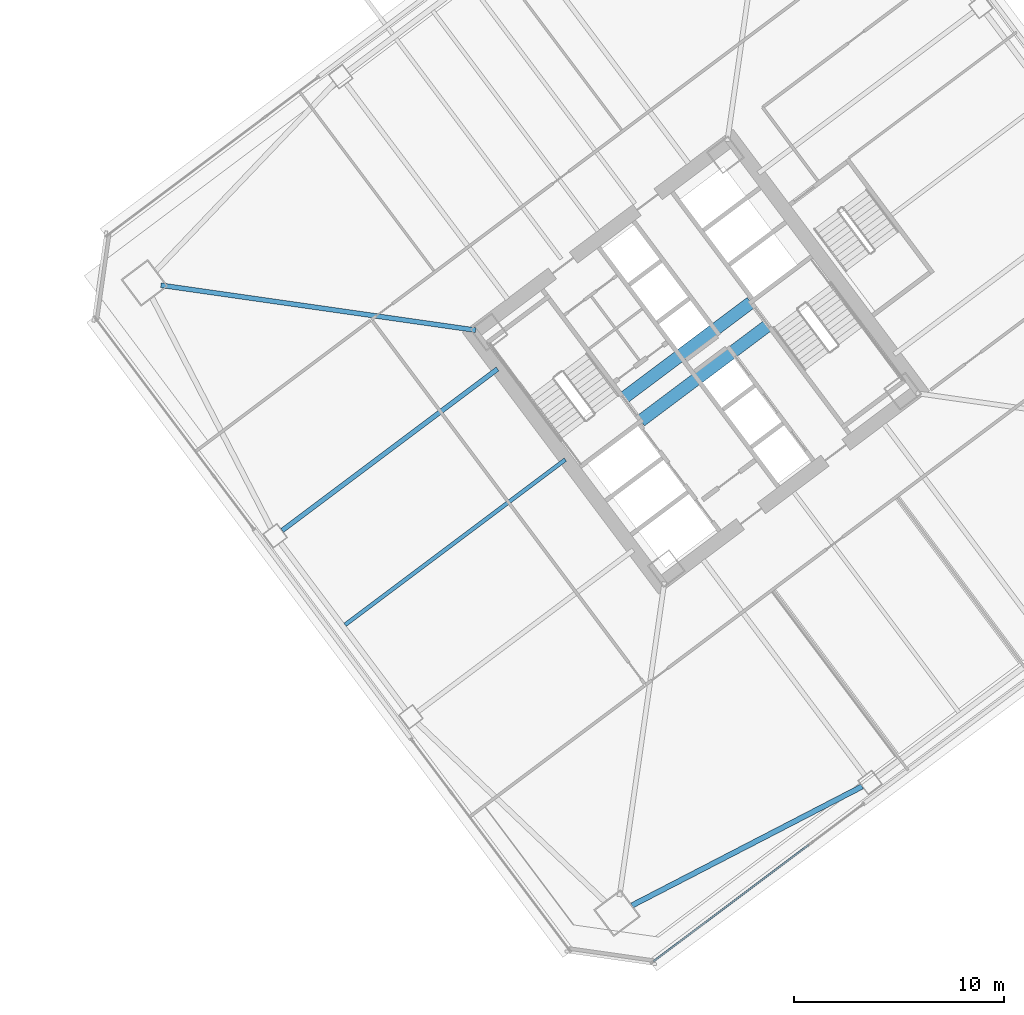
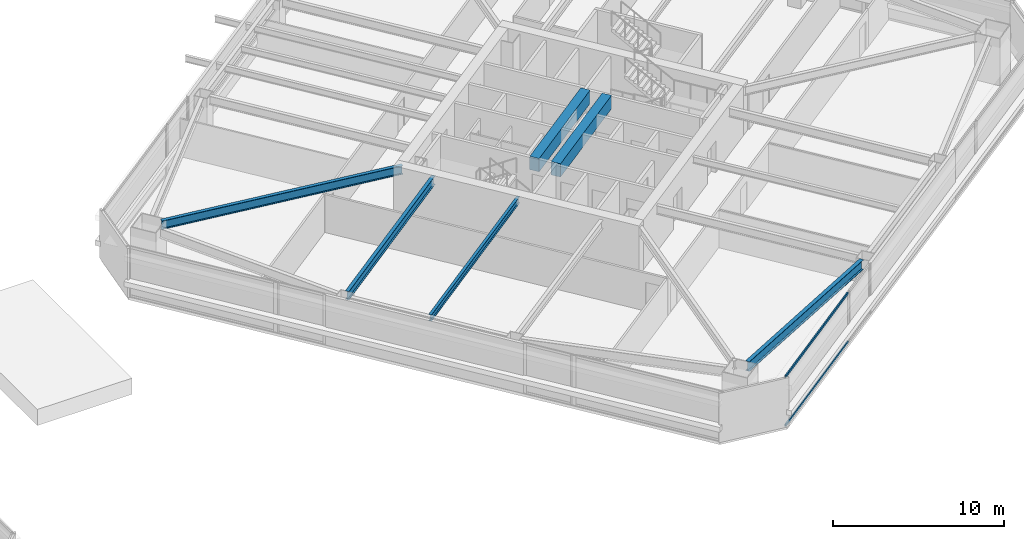
# One storey, part 21 of 46: 6 beams, 2 members, 1 element without a shape of its own.
"""IFC4 building model written with IfcOpenShell, lengths in metres."""

from ifc_helpers import new_model, si_unit, direction, frame, origin, origin_2d, place, context, subcontext, project, spatial, rectangle, hollow_rectangle, i_section, extrude, material, material_profile, profile_set, type_object, element, aggregate, save


model = new_model("IFC4")

# Units and contexts
model_context = context("Model", 3, precision=1e-05, world=origin(), true_north=direction((0.0, 1.0)))
body_context = subcontext(model_context, "Body", "Model", "MODEL_VIEW")
ifc_project = project(units=[si_unit("LENGTHUNIT", "METRE"), si_unit("AREAUNIT", "SQUARE_METRE"), si_unit("VOLUMEUNIT", "CUBIC_METRE"), si_unit("PLANEANGLEUNIT", "RADIAN"), si_unit("MASSUNIT", "GRAM", prefix="KILO")], contexts=[model_context])

# Site, building, storey
site_placement = place(None, origin())
site = spatial("IfcSite", under=ifc_project, at=site_placement, CompositionType="ELEMENT")
building_placement = place(site_placement, origin())
building = spatial("IfcBuilding", under=site, at=building_placement, Name="Tashvorn Skyway Center", CompositionType="ELEMENT")
storey_placement = place(building_placement, frame((0.0, 0.0, 31.699951171875)))
storey = spatial("IfcBuildingStorey", under=building, at=storey_placement, Name="L07", CompositionType="ELEMENT", Elevation=31.699951171875)

# Beams
ifc_material_1 = material(Name="Steel ASTM A992 Grade 50", Category="steel")
ifc_material_profile_1 = material_profile(ifc_material_1, i_section(OverallWidth=0.22998046875, OverallDepth=0.616943359375, WebThickness=0.01318359375, FlangeThickness=0.022216796875, at=origin_2d()), Name="W24X94")
ifc_profile_set_1 = profile_set([ifc_material_profile_1], Name="Steel ASTM A992 Grade 50")
beam_type_1 = type_object("IfcBeamType", Name="BM-BEAM-W24X94", PredefinedType="BEAM", material=ifc_profile_set_1)
beam_1_placement = place(storey_placement, frame((88.467041015625, 35.6474609375, 3.04150390625), z_axis=(0.989950458816, -0.141414599991, 0.0), x_axis=(0.141414599991, 0.989950458816, 0.0)))
element("IfcBeam", 1, at=beam_1_placement, inside=storey, type_object=beam_type_1, Name="Tower 2 L07 Primary Floor Girder MC-NW", PredefinedType="BEAM", context=body_context, shape_type="SweptSolid", body=[
    extrude(i_section(OverallWidth=0.22998046875, OverallDepth=0.616943359375, WebThickness=0.01318359375, FlangeThickness=0.022216796875, at=origin_2d()), origin(), (0.0, 0.0, 1.0), 15.177001953125),
])
beam_2_placement = place(storey_placement, frame((94.256103515625, 23.94189453125, 3.04150390625), z_axis=(0.799986320265, 0.600018239213, 0.0), x_axis=(-0.600018239213, 0.799986320265, 0.0)))
element("IfcBeam", 2, at=beam_2_placement, inside=storey, type_object=beam_type_1, Name="Tower 2 L07 Primary Floor Girder FC-W1", PredefinedType="BEAM", context=body_context, shape_type="SweptSolid", body=[
    extrude(i_section(OverallWidth=0.22998046875, OverallDepth=0.616943359375, WebThickness=0.01318359375, FlangeThickness=0.022216796875, at=origin_2d()), origin(), (0.0, 0.0, 1.0), 12.849853515625),
])
ifc_material_profile_2 = material_profile(ifc_material_1, i_section(OverallWidth=0.19091796875, OverallDepth=0.4599609375, WebThickness=0.010009765625, FlangeThickness=0.01611328125, at=origin_2d()), Name="W18X55")
ifc_profile_set_2 = profile_set([ifc_material_profile_2], Name="Steel ASTM A992 Grade 50")
beam_type_2 = type_object("IfcBeamType", Name="BM-JOIST-W18X55", PredefinedType="JOIST", material=ifc_profile_set_2)
beam_3_placement = place(storey_placement, frame((107.76806640625, 27.325927734375, 3.1201171875), z_axis=(-0.799997770398, -0.600002972791, 0.0), x_axis=(0.600002972791, -0.799997770398, 0.0)))
element("IfcBeam", 3, at=beam_3_placement, inside=storey, type_object=beam_type_2, Name="Tower 2 L07 Secondary Composite Joist JW", PredefinedType="JOIST", context=body_context, shape_type="SweptSolid", body=[
    extrude(i_section(OverallWidth=0.19091796875, OverallDepth=0.4599609375, WebThickness=0.010009765625, FlangeThickness=0.01611328125, at=origin_2d()), origin(), (0.0, 0.0, 1.0), 13.139892578125),
])
ifc_material_2 = material(Name="Concrete C60/75", Category="concrete")
ifc_material_profile_3 = material_profile(ifc_material_2, rectangle(XDim=0.60009765625, YDim=0.949951171875, at=origin_2d()), Name="RCB600x950")
ifc_profile_set_3 = profile_set([ifc_material_profile_3], Name="Concrete C60/75")
beam_type_3 = type_object("IfcBeamType", Name="BM-LINTEL-RCB600x950", PredefinedType="LINTEL", material=ifc_profile_set_3)
for number, where, z_axis, x_axis, name in (
    (4, (110.552001953125, 30.263916015625, 2.875), (0.8, 0.6, 0.0), (-0.6, 0.8, 0.0), "Tower 2 L07 Core Coupling Beam CN"),
    (5, (111.367919921875, 29.176025390625, 2.875), (0.8, 0.6, 0.0), (-0.6, 0.8, 0.0), "Tower 2 L07 Core Coupling Beam CS"),
):
    element("IfcBeam", number, at=place(storey_placement, frame(where, z_axis=z_axis, x_axis=x_axis)), inside=storey, type_object=beam_type_3, Name=name, PredefinedType="LINTEL", context=body_context, shape_type="SweptSolid", body=[
        extrude(rectangle(XDim=0.60009765625, YDim=0.949951171875, at=origin_2d()), origin(), (0.0, 0.0, 1.0), 7.60009765625),
    ])
ifc_material_profile_4 = material_profile(ifc_material_1, i_section(OverallWidth=0.256103515625, OverallDepth=0.693115234375, WebThickness=0.014404296875, FlangeThickness=0.023681640625, at=origin_2d()), Name="W27X114")
ifc_profile_set_4 = profile_set([ifc_material_profile_4], Name="Steel ASTM A992 Grade 50")
beam_type_4 = type_object("IfcBeamType", Name="BM-SPANDREL-W27X114", PredefinedType="SPANDREL", material=ifc_profile_set_4)
beam_4_placement = place(storey_placement, frame((110.9462890625, 6.045166015625, 3.003662109375), z_axis=(0.888315637339, 0.459233413919, 0.0), x_axis=(-0.459233413919, 0.888315637339, 0.0)))
element("IfcBeam", 6, at=beam_4_placement, inside=storey, type_object=beam_type_4, Name="Tower 2 L07 Spandrel Beam 01", PredefinedType="SPANDREL", context=body_context, shape_type="SweptSolid", body=[
    extrude(i_section(OverallWidth=0.256103515625, OverallDepth=0.693115234375, WebThickness=0.014404296875, FlangeThickness=0.023681640625, at=origin_2d()), origin(), (0.0, 0.0, 1.0), 12.37255859375),
])

# Curtain wall, members
ifc_material_3 = material(Name="Thermally broken bronze-anodized aluminium 6063-T6", Category="aluminium")
curtain_wall_type = type_object("IfcCurtainWallType", Name="CW-CW-Z1", PredefinedType="NOTDEFINED", material=ifc_material_3)
curtain_wall_placement = place(storey_placement, origin())
curtain_wall = element("IfcCurtainWall", 7, at=curtain_wall_placement, inside=storey, type_object=curtain_wall_type, Name="Tower 2 L07 South Unitised Curtain Wall Glazing Group 4", PredefinedType="NOTDEFINED")
ifc_material_profile_5 = material_profile(ifc_material_3, hollow_rectangle(XDim=0.0849609375, YDim=0.1650390625, WallThickness=0.0048828125, at=origin_2d()), Name="ALU-TRAN-85x165")
ifc_profile_set_5 = profile_set([ifc_material_profile_5], Name="Thermally broken bronze-anodized aluminium 6063-T6")
member_type = type_object("IfcMemberType", Name="CWT-CW-Z1", PredefinedType="USERDEFINED", material=ifc_profile_set_5)
member_1_placement = place(storey_placement, frame((119.387939453125, 8.94091796875, 0.04248046875), z_axis=(-0.8, -0.6, 0.0), x_axis=(0.6, -0.8, 0.0)))
member_1 = element("IfcMember", 8, at=member_1_placement, type_object=member_type, Name="CW-Z1 transom 1.1", ObjectType="TRANSOM", PredefinedType="USERDEFINED", context=body_context, shape_type="SweptSolid", body=[
    extrude(hollow_rectangle(XDim=0.0849609375, YDim=0.1650390625, WallThickness=0.0048828125, at=origin_2d()), origin(), (0.0, 0.0, 1.0), 9.27001953125),
])
member_2_placement = place(storey_placement, frame((119.387939453125, 8.94091796875, 3.507568359375), z_axis=(-0.8, -0.6, 0.0), x_axis=(0.6, -0.8, 0.0)))
member_2 = element("IfcMember", 9, at=member_2_placement, type_object=member_type, Name="CW-Z1 transom 1.2", ObjectType="TRANSOM", PredefinedType="USERDEFINED", context=body_context, shape_type="SweptSolid", body=[
    extrude(hollow_rectangle(XDim=0.0849609375, YDim=0.1650390625, WallThickness=0.0048828125, at=origin_2d()), origin(), (0.0, 0.0, 1.0), 9.27001953125),
])
aggregate(curtain_wall, [member_1, member_2])

save(model, "model.ifc")
